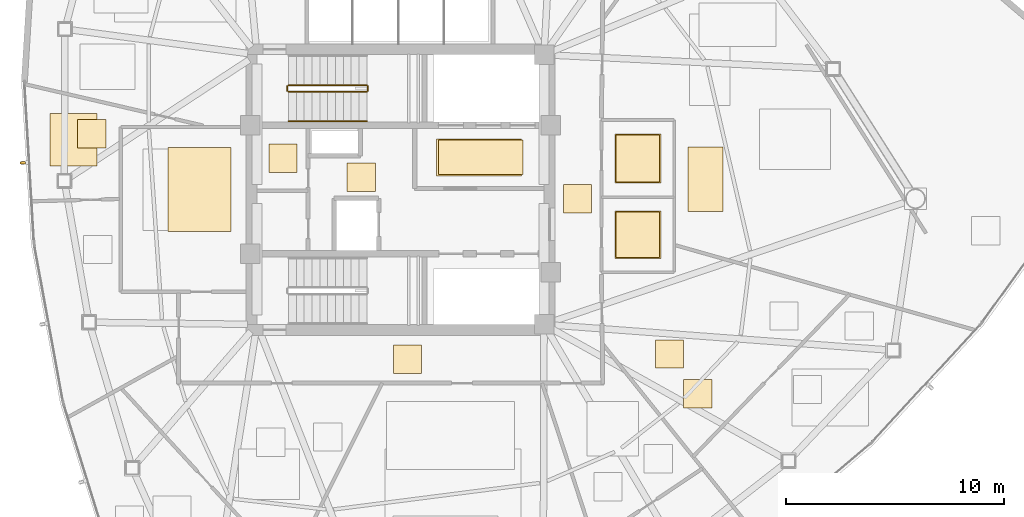
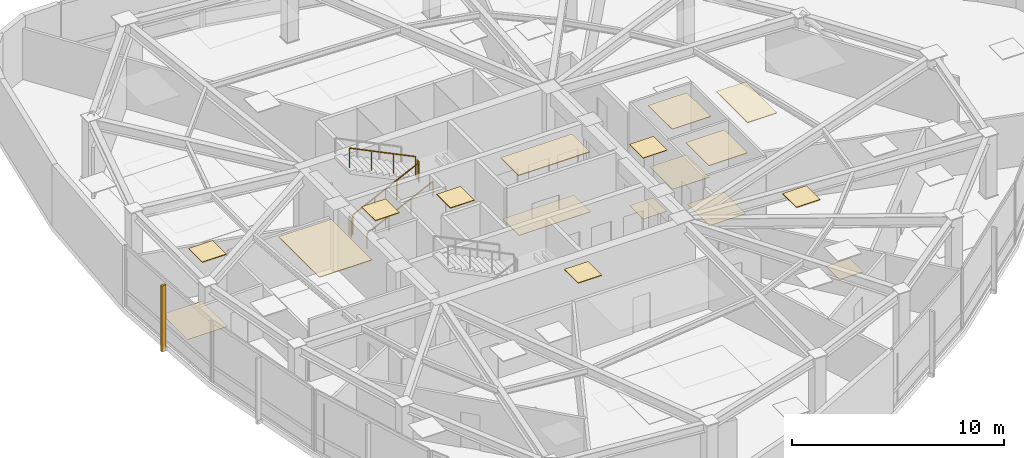
# One storey, part 15 of 17: 17 coverings, 5 railings, 1 shading device.
"""IFC4 building model written with IfcOpenShell, lengths in metres."""

import ifcopenshell
import ifcopenshell.guid

model = None  # the IFC model being written
_history = None  # IfcOwnerHistory: only IFC2X3 demands one
_inside = {}  # id of a spatial element -> (the spatial element, [elements in it])
_under = {}  # id of a project, library or spatial element -> (it, [spatial elements below it])
_declared = {}  # id of a project -> (the project, [libraries it declares])
_typed = {}  # id of a type object -> (the type object, [elements of that type])
_made_of = {}  # id of a material, layer set ... -> (it, [elements and type objects made of it])


def new_model(schema):
    """Start an empty IFC model of exactly this schema.

    Asked for "IFC4X3", IfcOpenShell would pick the latest addendum, in which some entities
    have other attributes; the version numbers below select the first issue.
    IFC2X3 requires an IfcOwnerHistory on every rooted entity: one is made here for all.
    """
    global model, _history
    if schema == "IFC4X3":
        model = ifcopenshell.file(schema_version=(4, 3, 0, 0))
    else:
        model = ifcopenshell.file(schema=schema)
    _inside.clear()
    _under.clear()
    _declared.clear()
    _typed.clear()
    _made_of.clear()
    _history = None
    if model.schema == "IFC2X3":
        org = make("IfcOrganization", Name="unknown")
        user = make(
            "IfcPersonAndOrganization",
            ThePerson=make("IfcPerson", FamilyName="unknown"),
            TheOrganization=org,
        )
        app = make(
            "IfcApplication",
            ApplicationDeveloper=org,
            Version="unknown",
            ApplicationFullName="unknown",
            ApplicationIdentifier="unknown",
        )
        _history = make(
            "IfcOwnerHistory",
            OwningUser=user,
            OwningApplication=app,
            ChangeAction="ADDED",
            CreationDate=0,
        )
    return model


def make(cls, **values):
    """One entity of the class cls with the attributes given. An attribute that is None is left unset."""
    return model.create_entity(
        cls, **{name: value for name, value in values.items() if value is not None}
    )


def rooted(cls, **values):
    """An entity with a GlobalId (a new one), such as an element, a storey or a relation."""
    return make(cls, GlobalId=ifcopenshell.guid.new(), OwnerHistory=_history, **values)


def si_unit(unit_type, name, prefix=None):
    """IfcSIUnit, for example si_unit("LENGTHUNIT", "METRE", prefix="MILLI")."""
    return make("IfcSIUnit", UnitType=unit_type, Prefix=prefix, Name=name)


def assignment(units):
    """IfcUnitAssignment: the units of a project."""
    return None if units is None else make("IfcUnitAssignment", Units=units)


def point(xyz):
    """IfcCartesianPoint."""
    return None if xyz is None else make("IfcCartesianPoint", Coordinates=xyz)


def direction(xyz):
    """IfcDirection."""
    return None if xyz is None else make("IfcDirection", DirectionRatios=xyz)


def frame(location, z_axis=None, x_axis=None):
    """IfcAxis2Placement3D, a coordinate frame: its origin and axes. An axis left out is left unset."""
    return make(
        "IfcAxis2Placement3D",
        Location=point(location),
        Axis=direction(z_axis),
        RefDirection=direction(x_axis),
    )


def frame_2d(location, x_axis=None):
    """IfcAxis2Placement2D, a coordinate frame in the plane: its origin and x axis."""
    return make(
        "IfcAxis2Placement2D", Location=point(location), RefDirection=direction(x_axis)
    )


def origin():
    """The frame at (0, 0, 0) with its axes left unset."""
    return frame((0.0, 0.0, 0.0))


def origin_2d():
    """The frame at (0, 0) in the plane with its x axis left unset."""
    return frame_2d((0.0, 0.0))


def place(relative_to, where):
    """IfcLocalPlacement: puts the frame where relative to a parent placement (None: the world)."""
    return make(
        "IfcLocalPlacement", PlacementRelTo=relative_to, RelativePlacement=where
    )


def context(
    kind, dimensions, precision=None, world=None, true_north=None, identifier=None
):
    """IfcGeometricRepresentationContext, for example the 3D "Model" context."""
    return make(
        "IfcGeometricRepresentationContext",
        ContextIdentifier=identifier,
        ContextType=kind,
        CoordinateSpaceDimension=dimensions,
        Precision=precision,
        WorldCoordinateSystem=world,
        TrueNorth=true_north,
    )


def subcontext(parent, identifier, kind, view, scale=None):
    """IfcGeometricRepresentationSubContext, for example "Body" below "Model"."""
    return make(
        "IfcGeometricRepresentationSubContext",
        ContextIdentifier=identifier,
        ContextType=kind,
        ParentContext=parent,
        TargetScale=scale,
        TargetView=view,
    )


def project(units=None, contexts=None):
    """IfcProject with its units and contexts."""
    return rooted(
        "IfcProject",
        Name="project",
        RepresentationContexts=contexts,
        UnitsInContext=assignment(units),
    )


def spatial(cls, under=None, at=None, **own):
    """A site, building, storey or space (cls), placed at a placement, below another one or the project."""
    s = rooted(cls, ObjectPlacement=at, **own)
    if under is not None:
        _under.setdefault(under.id(), (under, []))[1].append(s)
    return s


def polyline(points):
    """IfcPolyline through the points."""
    return make("IfcPolyline", Points=[point(p) for p in points])


def profile(cls, at=None, kind="AREA", **sizes):
    """A parametric profile (cls). Its sizes go by their IFC names, for example OverallWidth=200.0."""
    return make(cls, ProfileType=kind, Position=at, **sizes)


def rectangle(**sizes):
    """IfcRectangleProfileDef."""
    return profile("IfcRectangleProfileDef", **sizes)


def outline(outer, holes=None, kind="AREA"):
    """IfcArbitraryClosedProfileDef: a profile drawn as a closed curve; with holes, ...WithVoids."""
    if holes is None:
        return make("IfcArbitraryClosedProfileDef", ProfileType=kind, OuterCurve=outer)
    return make(
        "IfcArbitraryProfileDefWithVoids",
        ProfileType=kind,
        OuterCurve=outer,
        InnerCurves=holes,
    )


def extrude(swept, where, along, depth):
    """IfcExtrudedAreaSolid: the profile swept, set in the frame where, extruded along a direction by depth."""
    return make(
        "IfcExtrudedAreaSolid",
        SweptArea=swept,
        Position=where,
        ExtrudedDirection=direction(along),
        Depth=depth,
    )


def shape(context_of_items, identifier, shape_type, items):
    """IfcShapeRepresentation: the items that make up one representation, for example the "Body"."""
    return make(
        "IfcShapeRepresentation",
        ContextOfItems=context_of_items,
        RepresentationIdentifier=identifier,
        RepresentationType=shape_type,
        Items=items,
    )


def source(mapping_origin, context_of_items, identifier, shape_type, items):
    """IfcRepresentationMap: a shape defined once, which mapped items show again and again."""
    return make(
        "IfcRepresentationMap",
        MappingOrigin=mapping_origin,
        MappedRepresentation=shape(context_of_items, identifier, shape_type, items),
    )


def transform(
    local_origin,
    x_axis=None,
    y_axis=None,
    z_axis=None,
    scale=None,
    scale2=None,
    scale3=None,
    uniform=True,
):
    """IfcCartesianTransformationOperator3D, or its non-uniform kind. x_axis, y_axis, z_axis: its Axis1, 2, 3."""
    if uniform:
        return make(
            "IfcCartesianTransformationOperator3D",
            Axis1=direction(x_axis),
            Axis2=direction(y_axis),
            LocalOrigin=point(local_origin),
            Scale=scale,
            Axis3=direction(z_axis),
        )
    return make(
        "IfcCartesianTransformationOperator3DnonUniform",
        Axis1=direction(x_axis),
        Axis2=direction(y_axis),
        LocalOrigin=point(local_origin),
        Scale=scale,
        Axis3=direction(z_axis),
        Scale2=scale2,
        Scale3=scale3,
    )


def mapped(mapping_source, mapping_target):
    """IfcMappedItem: shows the shape of a source again, moved by a transform."""
    return make(
        "IfcMappedItem", MappingSource=mapping_source, MappingTarget=mapping_target
    )


def material(Name=None, Category=None):
    """IfcMaterial."""
    return make("IfcMaterial", Name=Name, Category=Category)


def layer(
    of_material, thickness, ventilated=None, Name=None, Category=None, Priority=None
):
    """IfcMaterialLayer: one layer of a wall or slab, of a material (None: an air gap)."""
    return make(
        "IfcMaterialLayer",
        Material=of_material,
        LayerThickness=thickness,
        IsVentilated=ventilated,
        Name=Name,
        Category=Category,
        Priority=Priority,
    )


def layer_set(layers, Name=None):
    """IfcMaterialLayerSet."""
    return make("IfcMaterialLayerSet", MaterialLayers=layers, LayerSetName=Name)


def made_of(thing, what):
    """Note that an element or type object is made of a material, layer set ...; save() writes the relation."""
    if what is not None:
        _made_of.setdefault(what.id(), (what, []))[1].append(thing)
    return thing


def type_object(cls, material=None, **own):
    """A type object (cls), such as IfcWallType, which elements share."""
    return made_of(rooted(cls, **own), material)


def type_shapes(of_type, sources):
    """Give a type object the sources (RepresentationMaps) that its elements show as mapped items."""
    of_type.RepresentationMaps = sources


def element(
    cls,
    number,
    at=None,
    inside=None,
    cuts=None,
    type_object=None,
    material=None,
    context=None,
    identifier="Body",
    shape_type=None,
    held_by="IfcProductDefinitionShape",
    body=None,
    shapes=None,
    **own,
):
    """One element of the class cls, such as IfcWall. Its Tag is "e" and its number.

    at: its placement. inside: the storey or other place that contains it. cuts: it is an
    opening in that element (IfcRelVoidsElement). A single representation is given by context,
    identifier, shape_type and body (its items); several are given by shapes. held_by: the class
    of the entity that holds the representations. save() writes the other relations.
    """
    e = rooted(cls, Tag="e%d" % number, ObjectPlacement=at, **own)
    if body is not None:
        shapes = [shape(context, identifier, shape_type, body)]
    if shapes is not None:
        e.Representation = make(held_by, Representations=shapes)
    if inside is not None:
        _inside.setdefault(inside.id(), (inside, []))[1].append(e)
    if cuts is not None:
        rooted(
            "IfcRelVoidsElement", RelatingBuildingElement=cuts, RelatedOpeningElement=e
        )
    if type_object is not None:
        _typed.setdefault(type_object.id(), (type_object, []))[1].append(e)
    return made_of(e, material)


def aggregate(whole, parts):
    """IfcRelAggregates: a whole, such as a stair, and the parts it consists of."""
    return rooted("IfcRelAggregates", RelatingObject=whole, RelatedObjects=parts)


def save(model, path):
    """Write the relations noted so far, then the file.

    IfcRelAggregates (storeys below a building ...), IfcRelContainedInSpatialStructure (elements
    in a storey), IfcRelDefinesByType, IfcRelAssociatesMaterial and IfcRelDeclares: one each for
    every whole, place, type object, material and project.
    """
    for whole, parts in _under.values():
        aggregate(whole, parts)
    for where, things in _inside.values():
        rooted(
            "IfcRelContainedInSpatialStructure",
            RelatedElements=things,
            RelatingStructure=where,
        )
    for kind, things in _typed.values():
        rooted("IfcRelDefinesByType", RelatedObjects=things, RelatingType=kind)
    for what, things in _made_of.values():
        rooted("IfcRelAssociatesMaterial", RelatedObjects=things, RelatingMaterial=what)
    for by, libraries in _declared.values():
        rooted("IfcRelDeclares", RelatingContext=by, RelatedDefinitions=libraries)
    model.write(path)


model = new_model("IFC4")

# Units and contexts
model_context = context("Model", 3, precision=1e-05, world=origin(), true_north=direction((0.0, 1.0)))
body_context = subcontext(model_context, "Body", "Model", "MODEL_VIEW")
ifc_project = project(units=[si_unit("LENGTHUNIT", "METRE"), si_unit("AREAUNIT", "SQUARE_METRE"), si_unit("VOLUMEUNIT", "CUBIC_METRE"), si_unit("PLANEANGLEUNIT", "RADIAN"), si_unit("MASSUNIT", "GRAM", prefix="KILO")], contexts=[model_context])

# Site, building, storey
site_placement = place(None, origin())
site = spatial("IfcSite", under=ifc_project, at=site_placement, CompositionType="ELEMENT")
building_placement = place(site_placement, origin())
building = spatial("IfcBuilding", under=site, at=building_placement, Name="Tavelor Broadcast Tower", CompositionType="ELEMENT")
storey_placement = place(building_placement, frame((0.0, 0.0, 188.75)))
storey = spatial("IfcBuildingStorey", under=building, at=storey_placement, Name="L45", CompositionType="ELEMENT", Elevation=188.75)

# Coverings
ifc_material_1 = material(Name="Copper-Bronze Anodized Aluminium", Category="aluminium")
ifc_layer_1 = layer(ifc_material_1, 0.044921875)
ifc_layer_set_1 = layer_set([ifc_layer_1], Name="Copper-Bronze Anodized Aluminium")
covering_type_1 = type_object("IfcCoveringType", Name="Anodised Bronze Linear Slatted Concourse Ceiling 45 mm", PredefinedType="CEILING", material=ifc_layer_set_1)
covering_1_placement = place(storey_placement, frame((0.0, 0.0, 3.5048828125)))
element("IfcCovering", 1, at=covering_1_placement, inside=storey, type_object=covering_type_1, Name="L45 Suspended Acoustic Ceiling 1871", PredefinedType="CEILING", context=body_context, shape_type="SweptSolid", body=[
    extrude(outline(polyline([(51.659912109375, 45.6318359375), (55.55712890625, 45.6318359375), (55.55712890625, 47.328125), (51.659912109375, 47.328125), (51.659912109375, 45.6318359375)])), origin(), (0.0, 0.0, 1.0), 0.045166015625),
])
covering_2_placement = place(storey_placement, frame((0.0, 0.0, 3.5048828125)))
element("IfcCovering", 2, at=covering_2_placement, inside=storey, type_object=covering_type_1, Name="L45 Suspended Acoustic Ceiling 1872", PredefinedType="CEILING", context=body_context, shape_type="SweptSolid", body=[
    extrude(outline(polyline([(47.5400390625, 44.919921875), (48.840087890625, 44.919921875), (48.840087890625, 46.219970703125), (47.5400390625, 46.219970703125), (47.5400390625, 44.919921875)])), origin(), (0.0, 0.0, 1.0), 0.045166015625),
])

# Railing
ifc_material_2 = material(Name="Steel S355", Category="steel")
railing_type_1 = type_object("IfcRailingType", Name="Continuous Brushed Stainless Handrail 900 mm", PredefinedType="HANDRAIL", material=ifc_material_2)
railing_1_placement = place(storey_placement, frame((44.85009765625, 48.14990234375, 0.175048828125)))
element("IfcRailing", 3, at=railing_1_placement, inside=storey, type_object=railing_type_1, Name="L45 ST1 stair handrail 1", PredefinedType="HANDRAIL", context=body_context, shape_type="SweptSolid", body=[
    extrude(rectangle(XDim=0.048095703125, YDim=0.048095703125, at=origin_2d()), frame((0.0, 0.0, 0.8759765625), z_axis=(0.899360859046, 0.0, 0.437207096483), x_axis=(0.0, 1.0, 0.0)), (0.0, 0.0, 1.0), 4.002685546875),
    extrude(rectangle(XDim=0.0419921875, YDim=0.0419921875, at=origin_2d()), origin(), (0.0, 0.0, 1.0), 0.851806640625),
    extrude(rectangle(XDim=0.0419921875, YDim=0.0419921875, at=origin_2d()), frame((1.199951171875, 0.0, 0.583251953125)), (0.0, 0.0, 1.0), 0.851806640625),
    extrude(rectangle(XDim=0.0419921875, YDim=0.0419921875, at=origin_2d()), frame((2.39990234375, 0.0, 1.166748046875)), (0.0, 0.0, 1.0), 0.851806640625),
    extrude(rectangle(XDim=0.0419921875, YDim=0.0419921875, at=origin_2d()), frame((3.599853515625, 0.0, 1.75)), (0.0, 0.0, 1.0), 0.851806640625),
])

# Coverings
ifc_material_3 = material(Name="Architectural Anodized Aluminium", Category="aluminium")
ifc_layer_2 = layer(ifc_material_3, 0.034912109375)
ifc_layer_set_2 = layer_set([ifc_layer_2], Name="Architectural Anodized Aluminium")
covering_type_2 = type_object("IfcCoveringType", Name="Demountable Metal Tile Corridor Ceiling 35 mm", PredefinedType="CEILING", material=ifc_layer_set_2)
covering_3_placement = place(storey_placement, frame((0.0, 0.0, 3.514892578125)))
element("IfcCovering", 4, at=covering_3_placement, inside=storey, type_object=covering_type_2, Name="L45 Suspended Acoustic Ceiling 1874", PredefinedType="CEILING", context=body_context, shape_type="SweptSolid", body=[
    extrude(outline(polyline([(57.489990234375, 43.925048828125), (58.7900390625, 43.925048828125), (58.7900390625, 45.22509765625), (57.489990234375, 45.22509765625), (57.489990234375, 43.925048828125)])), origin(), (0.0, 0.0, 1.0), 0.03515625),
])
covering_4_placement = place(storey_placement, frame((0.0, 0.0, 3.514892578125)))
element("IfcCovering", 5, at=covering_4_placement, inside=storey, type_object=covering_type_2, Name="L45 Suspended Acoustic Ceiling 1875", PredefinedType="CEILING", context=body_context, shape_type="SweptSolid", body=[
    extrude(outline(polyline([(49.669921875, 36.550048828125), (50.9697265625, 36.550048828125), (50.9697265625, 37.85009765625), (49.669921875, 37.85009765625), (49.669921875, 36.550048828125)])), origin(), (0.0, 0.0, 1.0), 0.03515625),
])
ifc_material_4 = material(Name="Acoustic Nylon Carpet Tile")
ifc_layer_3 = layer(ifc_material_4, 0.02001953125)
ifc_layer_set_3 = layer_set([ifc_layer_3], Name="Acoustic Nylon Carpet Tile")
covering_type_3 = type_object("IfcCoveringType", Name="Heavy-Duty Acoustic Broadcast Carpet Tile 20 mm", PredefinedType="FLOORING", material=ifc_layer_set_3)
covering_5_placement = place(storey_placement, origin())
element("IfcCovering", 6, at=covering_5_placement, inside=storey, type_object=covering_type_3, Name="L45 Broadcast Floor Finish 0674", PredefinedType="FLOORING", context=body_context, shape_type="SweptSolid", body=[
    extrude(outline(polyline([(57.489990234375, 43.925048828125), (58.7900390625, 43.925048828125), (58.7900390625, 45.22509765625), (57.489990234375, 45.22509765625), (57.489990234375, 43.925048828125)])), origin(), (0.0, 0.0, 1.0), 0.02001953125),
])
covering_6_placement = place(storey_placement, origin())
element("IfcCovering", 7, at=covering_6_placement, inside=storey, type_object=covering_type_3, Name="L45 Broadcast Floor Finish 0683", PredefinedType="FLOORING", context=body_context, shape_type="SweptSolid", body=[
    extrude(outline(polyline([(33.874755859375, 46.0908203125), (36.0517578125, 46.0908203125), (36.0517578125, 48.504638671875), (33.874755859375, 48.504638671875), (33.874755859375, 46.0908203125)])), origin(), (0.0, 0.0, 1.0), 0.02001953125),
])
covering_7_placement = place(storey_placement, origin())
element("IfcCovering", 8, at=covering_7_placement, inside=storey, type_object=covering_type_3, Name="L45 Broadcast Floor Finish 0687", PredefinedType="FLOORING", context=body_context, shape_type="SweptSolid", body=[
    extrude(outline(polyline([(63.021484375, 34.96044921875), (64.3212890625, 34.96044921875), (64.3212890625, 36.260498046875), (63.021484375, 36.260498046875), (63.021484375, 34.96044921875)])), origin(), (0.0, 0.0, 1.0), 0.02001953125),
])
ifc_material_5 = material(Name="Honed Natural Limestone Tile", Category="masonry")
ifc_layer_4 = layer(ifc_material_5, 0.030029296875)
ifc_layer_set_4 = layer_set([ifc_layer_4], Name="Honed Natural Limestone Tile")
covering_type_4 = type_object("IfcCoveringType", Name="Honed Jerusalem Limestone Concourse Flooring 30 mm", PredefinedType="FLOORING", material=ifc_layer_set_4)
covering_8_placement = place(storey_placement, origin())
element("IfcCovering", 9, at=covering_8_placement, inside=storey, type_object=covering_type_4, Name="L45 Broadcast Floor Finish 0673", PredefinedType="FLOORING", context=body_context, shape_type="SweptSolid", body=[
    extrude(outline(polyline([(51.7373046875, 45.689453125), (55.62255859375, 45.689453125), (55.62255859375, 47.2705078125), (51.7373046875, 47.2705078125), (51.7373046875, 45.689453125)])), origin(), (0.0, 0.0, 1.0), 0.030029296875),
])
ifc_layer_5 = layer(ifc_material_3, 0.030029296875)
ifc_layer_set_5 = layer_set([ifc_layer_5], Name="Architectural Anodized Aluminium")
covering_type_5 = type_object("IfcCoveringType", Name="Moisture-Resistant Washroom Ceiling 30 mm", PredefinedType="CEILING", material=ifc_layer_set_5)
covering_9_placement = place(storey_placement, frame((0.0, 0.0, 3.52001953125)))
element("IfcCovering", 10, at=covering_9_placement, inside=storey, type_object=covering_type_5, Name="L45 Suspended Acoustic Ceiling 1877", PredefinedType="CEILING", context=body_context, shape_type="SweptSolid", body=[
    extrude(outline(polyline([(59.85302734375, 41.828369140625), (61.967041015625, 41.828369140625), (61.967041015625, 44.021484375), (59.85302734375, 44.021484375), (59.85302734375, 41.828369140625)])), origin(), (0.0, 0.0, 1.0), 0.030029296875),
])
covering_10_placement = place(storey_placement, frame((0.0, 0.0, 3.52001953125)))
element("IfcCovering", 11, at=covering_10_placement, inside=storey, type_object=covering_type_5, Name="L45 Suspended Acoustic Ceiling 1878", PredefinedType="CEILING", context=body_context, shape_type="SweptSolid", body=[
    extrude(outline(polyline([(59.85302734375, 45.29248046875), (61.967041015625, 45.29248046875), (61.967041015625, 47.5576171875), (59.85302734375, 47.5576171875), (59.85302734375, 45.29248046875)])), origin(), (0.0, 0.0, 1.0), 0.030029296875),
])
ifc_material_6 = material(Name="Slip-Resistant Porcelain Tile")
ifc_layer_6 = layer(ifc_material_6, 0.02490234375)
ifc_layer_set_6 = layer_set([ifc_layer_6], Name="Slip-Resistant Porcelain Tile")
covering_type_6 = type_object("IfcCoveringType", Name="Slip-Resistant Porcelain Wet-Area Floor Tile 25 mm", PredefinedType="FLOORING", material=ifc_layer_set_6)
covering_11_placement = place(storey_placement, origin())
element("IfcCovering", 12, at=covering_11_placement, inside=storey, type_object=covering_type_6, Name="L45 Broadcast Floor Finish 0676", PredefinedType="FLOORING", context=body_context, shape_type="SweptSolid", body=[
    extrude(outline(polyline([(59.91064453125, 41.885986328125), (61.909423828125, 41.885986328125), (61.909423828125, 43.964111328125), (59.91064453125, 43.964111328125), (59.91064453125, 41.885986328125)])), origin(), (0.0, 0.0, 1.0), 0.02490234375),
])
covering_12_placement = place(storey_placement, origin())
element("IfcCovering", 13, at=covering_12_placement, inside=storey, type_object=covering_type_6, Name="L45 Broadcast Floor Finish 0677", PredefinedType="FLOORING", context=body_context, shape_type="SweptSolid", body=[
    extrude(outline(polyline([(59.91064453125, 45.35009765625), (61.909423828125, 45.35009765625), (61.909423828125, 47.5), (59.91064453125, 47.5), (59.91064453125, 45.35009765625)])), origin(), (0.0, 0.0, 1.0), 0.02490234375),
])

# Railings
railing_type_2 = type_object("IfcRailingType", Name="Stairwell Steel Safety Guardrail 1150 mm", PredefinedType="GUARDRAIL", material=ifc_material_2)
railing_2_placement = place(storey_placement, frame((44.85009765625, 49.5, 0.175048828125)))
element("IfcRailing", 14, at=railing_2_placement, inside=storey, type_object=railing_type_2, Name="L45 ST1 stair guard 1", PredefinedType="GUARDRAIL", context=body_context, shape_type="SweptSolid", body=[
    extrude(rectangle(XDim=0.048095703125, YDim=0.048095703125, at=origin_2d()), frame((0.0, 0.0, 1.1259765625), z_axis=(0.899360859046, 0.0, 0.437207096483), x_axis=(0.0, 1.0, 0.0)), (0.0, 0.0, 1.0), 4.002685546875),
    extrude(rectangle(XDim=0.0419921875, YDim=0.0419921875, at=origin_2d()), origin(), (0.0, 0.0, 1.0), 1.101806640625),
    extrude(rectangle(XDim=0.0419921875, YDim=0.0419921875, at=origin_2d()), frame((1.199951171875, 0.0, 0.583251953125)), (0.0, 0.0, 1.0), 1.101806640625),
    extrude(rectangle(XDim=0.0419921875, YDim=0.0419921875, at=origin_2d()), frame((2.39990234375, 0.0, 1.166748046875)), (0.0, 0.0, 1.0), 1.101806640625),
    extrude(rectangle(XDim=0.0419921875, YDim=0.0419921875, at=origin_2d()), frame((3.599853515625, 0.0, 1.75)), (0.0, 0.0, 1.0), 1.101806640625),
])
railing_3_placement = place(storey_placement, frame((48.5, 49.550048828125, 1.925048828125)))
element("IfcRailing", 15, at=railing_3_placement, inside=storey, type_object=railing_type_2, Name="L45 ST1 stair guard 2", PredefinedType="GUARDRAIL", context=body_context, shape_type="SweptSolid", body=[
    extrude(rectangle(XDim=0.048095703125, YDim=0.048095703125, at=origin_2d()), frame((0.0, 0.0, 1.1259765625), z_axis=(0.0, 1.0, 0.0), x_axis=(-1.0, 0.0, 0.0)), (0.0, 0.0, 1.0), 0.199951171875),
    extrude(rectangle(XDim=0.0419921875, YDim=0.0419921875, at=origin_2d()), origin(), (0.0, 0.0, 1.0), 1.101806640625),
    extrude(rectangle(XDim=0.0419921875, YDim=0.0419921875, at=origin_2d()), frame((0.0, 0.199951171875, 0.0)), (0.0, 0.0, 1.0), 1.101806640625),
])
railing_4_placement = place(storey_placement, frame((48.449951171875, 49.800048828125, 2.10009765625)))
element("IfcRailing", 16, at=railing_4_placement, inside=storey, type_object=railing_type_2, Name="L45 ST1 stair guard 3", PredefinedType="GUARDRAIL", context=body_context, shape_type="SweptSolid", body=[
    extrude(rectangle(XDim=0.048095703125, YDim=0.048095703125, at=origin_2d()), frame((0.0, 0.0, 1.1259765625), z_axis=(-0.899360859046, 0.0, 0.437207096483), x_axis=(0.0, -1.0, 0.0)), (0.0, 0.0, 1.0), 4.002685546875),
    extrude(rectangle(XDim=0.0419921875, YDim=0.0419921875, at=origin_2d()), origin(), (0.0, 0.0, 1.0), 1.101806640625),
    extrude(rectangle(XDim=0.0419921875, YDim=0.0419921875, at=origin_2d()), frame((-1.199951171875, 0.0, 0.583251953125)), (0.0, 0.0, 1.0), 1.101806640625),
    extrude(rectangle(XDim=0.0419921875, YDim=0.0419921875, at=origin_2d()), frame((-2.39990234375, 0.0, 1.166748046875)), (0.0, 0.0, 1.0), 1.101806640625),
    extrude(rectangle(XDim=0.0419921875, YDim=0.0419921875, at=origin_2d()), frame((-3.599853515625, 0.0, 1.75)), (0.0, 0.0, 1.0), 1.101806640625),
])
railing_5_placement = place(storey_placement, frame((44.800048828125, 49.550048828125, 0.0)))
element("IfcRailing", 17, at=railing_5_placement, inside=storey, type_object=railing_type_2, Name="L45 ST1 stair guard 4", PredefinedType="GUARDRAIL", context=body_context, shape_type="SweptSolid", body=[
    extrude(rectangle(XDim=0.048095703125, YDim=0.048095703125, at=origin_2d()), frame((0.0, 0.0, 1.1259765625), z_axis=(0.0, 1.0, 0.0), x_axis=(-1.0, 0.0, 0.0)), (0.0, 0.0, 1.0), 0.199951171875),
    extrude(rectangle(XDim=0.0419921875, YDim=0.0419921875, at=origin_2d()), origin(), (0.0, 0.0, 1.0), 1.101806640625),
    extrude(rectangle(XDim=0.0419921875, YDim=0.0419921875, at=origin_2d()), frame((0.0, 0.199951171875, 0.0)), (0.0, 0.0, 1.0), 1.101806640625),
])

# Coverings
ifc_material_7 = material(Name="Acoustic Mineral Fibre Tile")
ifc_layer_7 = layer(ifc_material_7, 0.0400390625)
ifc_layer_set_7 = layer_set([ifc_layer_7], Name="Acoustic Mineral Fibre Tile")
covering_type_7 = type_object("IfcCoveringType", Name="Suspended Acoustic Mineral-Fibre Office Ceiling 40 mm", PredefinedType="CEILING", material=ifc_layer_set_7)
covering_13_placement = place(storey_placement, frame((0.0, 0.0, 3.510009765625)))
element("IfcCovering", 18, at=covering_13_placement, inside=storey, type_object=covering_type_7, Name="L45 Suspended Acoustic Ceiling 1873", PredefinedType="CEILING", context=body_context, shape_type="SweptSolid", body=[
    extrude(outline(polyline([(43.951416015625, 45.794921875), (45.25146484375, 45.794921875), (45.25146484375, 47.094970703125), (43.951416015625, 47.094970703125), (43.951416015625, 45.794921875)])), origin(), (0.0, 0.0, 1.0), 0.0400390625),
])
covering_14_placement = place(storey_placement, frame((0.0, 0.0, 3.510009765625)))
element("IfcCovering", 19, at=covering_14_placement, inside=storey, type_object=covering_type_7, Name="L45 Suspended Acoustic Ceiling 1876", PredefinedType="CEILING", context=body_context, shape_type="SweptSolid", body=[
    extrude(outline(polyline([(39.321533203125, 43.0712890625), (42.198486328125, 43.0712890625), (42.198486328125, 46.927978515625), (39.321533203125, 46.927978515625), (39.321533203125, 43.0712890625)])), origin(), (0.0, 0.0, 1.0), 0.0400390625),
])
covering_15_placement = place(storey_placement, frame((0.0, 0.0, 3.510009765625)))
element("IfcCovering", 20, at=covering_15_placement, inside=storey, type_object=covering_type_7, Name="L45 Suspended Acoustic Ceiling 1883", PredefinedType="CEILING", context=body_context, shape_type="SweptSolid", body=[
    extrude(outline(polyline([(63.21630859375, 43.990478515625), (64.821044921875, 43.990478515625), (64.821044921875, 46.947509765625), (63.21630859375, 46.947509765625), (63.21630859375, 43.990478515625)])), origin(), (0.0, 0.0, 1.0), 0.0400390625),
])
covering_16_placement = place(storey_placement, frame((0.0, 0.0, 3.510009765625)))
element("IfcCovering", 21, at=covering_16_placement, inside=storey, type_object=covering_type_7, Name="L45 Suspended Acoustic Ceiling 1893", PredefinedType="CEILING", context=body_context, shape_type="SweptSolid", body=[
    extrude(outline(polyline([(35.16162109375, 46.916259765625), (36.461669921875, 46.916259765625), (36.461669921875, 48.21630859375), (35.16162109375, 48.21630859375), (35.16162109375, 46.916259765625)])), origin(), (0.0, 0.0, 1.0), 0.0400390625),
])
covering_17_placement = place(storey_placement, frame((0.0, 0.0, 3.510009765625)))
element("IfcCovering", 22, at=covering_17_placement, inside=storey, type_object=covering_type_7, Name="L45 Suspended Acoustic Ceiling 1907", PredefinedType="CEILING", context=body_context, shape_type="SweptSolid", body=[
    extrude(outline(polyline([(61.722900390625, 36.79150390625), (63.02294921875, 36.79150390625), (63.02294921875, 38.091552734375), (61.722900390625, 38.091552734375), (61.722900390625, 36.79150390625)])), origin(), (0.0, 0.0, 1.0), 0.0400390625),
])

# Shading device
ifc_material_8 = material(Name="Kiln-Fired Glazed Terracotta", Category="masonry")
shading_device_type = type_object("IfcShadingDeviceType", Name="Extruded Terracotta Baguette Sun-Screen 110x240", PredefinedType="JALOUSIE", material=ifc_material_8)
shared_shape = source(origin(), body_context, "Body", "SweptSolid", [
    extrude(rectangle(XDim=0.110107421875, YDim=0.239990234375, at=origin_2d()), origin(), (0.0, 0.0, 1.0), 3.7900390625),
])
type_shapes(shading_device_type, [shared_shape])
shading_device_placement = place(storey_placement, frame((32.629638671875, 46.227783203125, -0.260009765625), z_axis=(0.0, 0.0, 1.0), x_axis=(0.05965482139, -0.998219065278, 0.0)))
element("IfcShadingDevice", 23, at=shading_device_placement, inside=storey, type_object=shading_device_type, Name="L45 Terracotta Baguette Fin 469", PredefinedType="JALOUSIE", context=body_context, shape_type="MappedRepresentation", body=[
    mapped(shared_shape, transform((0.0, 0.0, 0.0), scale=1.0)),
])

save(model, "model.ifc")
